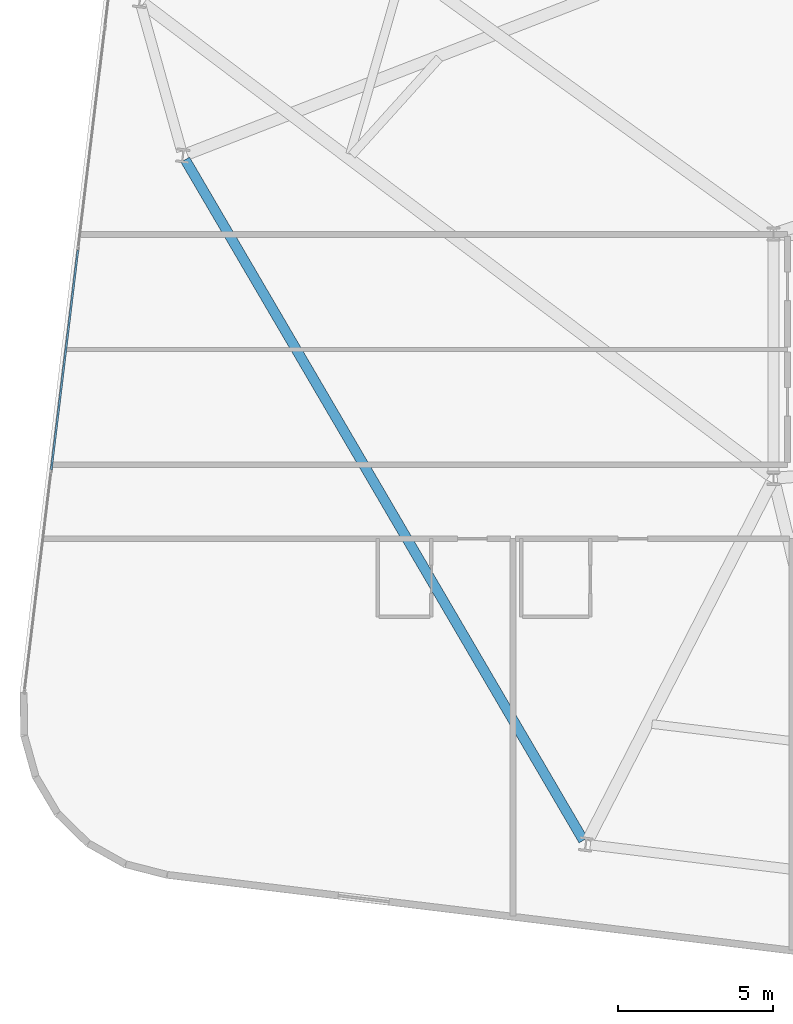
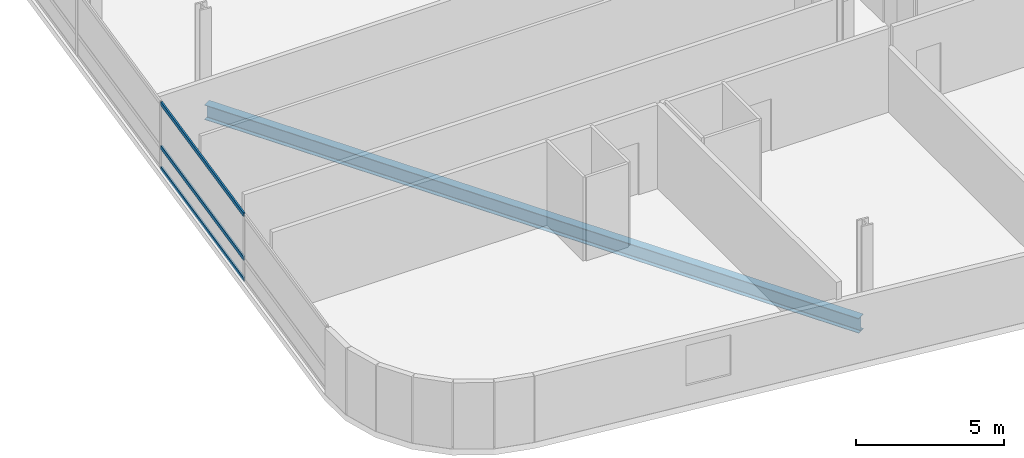
# One storey, part 5 of 26: 3 members, 1 beam, 1 element without a shape of its own.
"""IFC4 building model written with IfcOpenShell, lengths in metres."""

from ifc_helpers import new_model, si_unit, direction, frame, origin, origin_2d, place, context, subcontext, project, spatial, hollow_rectangle, i_section, extrude, material, layer, layer_set, material_profile, profile_set, type_object, element, aggregate, save


model = new_model("IFC4")

# Units and contexts
model_context = context("Model", 3, precision=1e-05, world=origin(), true_north=direction((0.0, 1.0)))
body_context = subcontext(model_context, "Body", "Model", "MODEL_VIEW")
ifc_project = project(units=[si_unit("LENGTHUNIT", "METRE"), si_unit("AREAUNIT", "SQUARE_METRE"), si_unit("VOLUMEUNIT", "CUBIC_METRE"), si_unit("PLANEANGLEUNIT", "RADIAN"), si_unit("MASSUNIT", "GRAM", prefix="KILO")], contexts=[model_context])

# Site, building, storey
site_placement = place(None, origin())
site = spatial("IfcSite", under=ifc_project, at=site_placement, CompositionType="ELEMENT")
building_placement = place(site_placement, origin())
building = spatial("IfcBuilding", under=site, at=building_placement, Name="Varnelok Gate Tower", CompositionType="ELEMENT")
storey_placement = place(building_placement, frame((0.0, 0.0, 143.89990234375)))
storey = spatial("IfcBuildingStorey", under=building, at=storey_placement, Name="L36", CompositionType="ELEMENT", Elevation=143.89990234375)

# Beam
ifc_material_1 = material(Name="Structural Steel ASTM A992 Grade 50", Category="steel")
ifc_material_profile_1 = material_profile(ifc_material_1, i_section(OverallWidth=0.323974609375, OverallDepth=0.611083984375, WebThickness=0.0126953125, FlangeThickness=0.01904296875, FilletRadius=0.01806640625, at=origin_2d()), Name="W24X104")
ifc_profile_set_1 = profile_set([ifc_material_profile_1], Name="Structural Steel ASTM A992 Grade 50")
beam_type = type_object("IfcBeamType", Name="BM-SPN-W24X104", PredefinedType="SPANDREL", material=ifc_profile_set_1)
beam_placement = place(storey_placement, frame((5.43115234375, 29.072021484375, -0.555419921875), z_axis=(0.504960797965, -0.863142278259, 0.0), x_axis=(0.863142278259, 0.504960797965, 0.0)))
element("IfcBeam", 1, at=beam_placement, inside=storey, type_object=beam_type, Name="L36 Perimeter Spandrel Beam 16", PredefinedType="SPANDREL", context=body_context, shape_type="SweptSolid", body=[
    extrude(i_section(OverallWidth=0.323974609375, OverallDepth=0.611083984375, WebThickness=0.0126953125, FlangeThickness=0.01904296875, FilletRadius=0.01806640625, at=origin_2d()), origin(), (0.0, 0.0, 1.0), 25.425537109375),
])

# Curtain wall, members
ifc_material_2 = material(Name="Anodized Aluminum Alloy 6063-T6", Category="aluminium")
ifc_layer = layer(ifc_material_2, 0.179931640625)
ifc_layer_set = layer_set([ifc_layer], Name="Anodized Aluminum Alloy 6063-T6")
curtain_wall_type = type_object("IfcCurtainWallType", Name="CW3-HOTEL-VISION", PredefinedType="USERDEFINED", material=ifc_layer_set)
curtain_wall_placement = place(storey_placement, origin())
curtain_wall = element("IfcCurtainWall", 2, at=curtain_wall_placement, inside=storey, type_object=curtain_wall_type, Name="L36 West End Vision Curtain Wall", ObjectType="UNITISED CURTAIN WALL", PredefinedType="USERDEFINED")
ifc_material_profile_2 = material_profile(ifc_material_2, hollow_rectangle(XDim=0.06494140625, YDim=0.159912109375, WallThickness=0.00390625, at=origin_2d()), Name="ALU160X65X4")
ifc_profile_set_2 = profile_set([ifc_material_profile_2], Name="Anodized Aluminum Alloy 6063-T6")
member_type = type_object("IfcMemberType", Name="CW-TRAN-160", PredefinedType="USERDEFINED", material=ifc_profile_set_2)
member_1_placement = place(storey_placement, frame((1.113525390625, 19.07080078125, 0.03271484375), z_axis=(0.120344652138, 0.992732171687, 0.0), x_axis=(-0.992732171687, 0.120344652138, 0.0)))
member_1 = element("IfcMember", 3, at=member_1_placement, type_object=member_type, Name="CW3 transom 2.1", ObjectType="TRANSOM", PredefinedType="USERDEFINED", context=body_context, shape_type="SweptSolid", body=[
    extrude(hollow_rectangle(XDim=0.06494140625, YDim=0.159912109375, WallThickness=0.00390625, at=origin_2d()), origin(), (0.0, 0.0, 1.0), 7.134765625),
])
member_2_placement = place(storey_placement, frame((1.113525390625, 19.07080078125, 0.900146484375), z_axis=(0.120344652138, 0.992732171687, 0.0), x_axis=(-0.992732171687, 0.120344652138, 0.0)))
member_2 = element("IfcMember", 4, at=member_2_placement, type_object=member_type, Name="CW3 transom 2.2", ObjectType="TRANSOM", PredefinedType="USERDEFINED", context=body_context, shape_type="SweptSolid", body=[
    extrude(hollow_rectangle(XDim=0.06494140625, YDim=0.159912109375, WallThickness=0.00390625, at=origin_2d()), origin(), (0.0, 0.0, 1.0), 7.134765625),
])
member_3_placement = place(storey_placement, frame((1.113525390625, 19.07080078125, 2.697509765625), z_axis=(0.120344652138, 0.992732171687, 0.0), x_axis=(-0.992732171687, 0.120344652138, 0.0)))
member_3 = element("IfcMember", 5, at=member_3_placement, type_object=member_type, Name="CW3 transom 2.3", ObjectType="TRANSOM", PredefinedType="USERDEFINED", context=body_context, shape_type="SweptSolid", body=[
    extrude(hollow_rectangle(XDim=0.06494140625, YDim=0.159912109375, WallThickness=0.00390625, at=origin_2d()), origin(), (0.0, 0.0, 1.0), 7.134765625),
])
aggregate(curtain_wall, [member_1, member_2, member_3])

save(model, "model.ifc")
